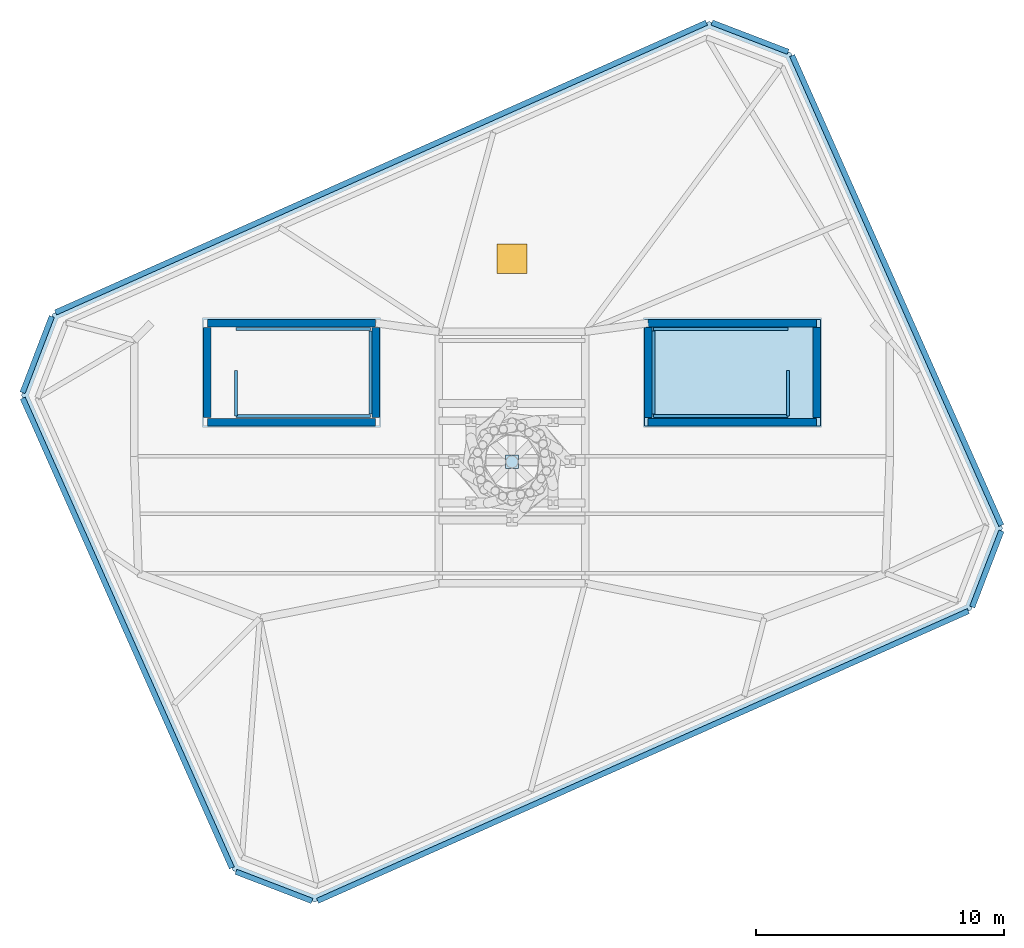
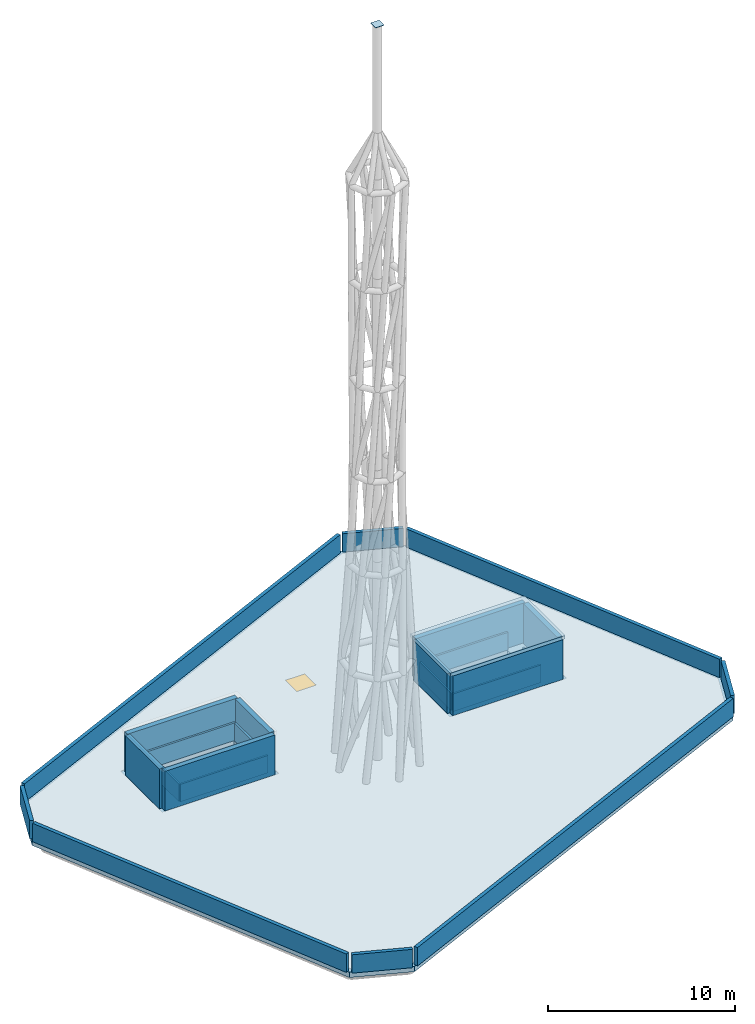
"""IFC4 building model written with IfcOpenShell, lengths in metres."""

from ifc_helpers import new_model, si_unit, direction, frame, frame_2d, origin, origin_2d, place, context, subcontext, project, spatial, polyline, rectangle, outline, extrude, material, layer, layer_set, type_object, element, fill, save


model = new_model("IFC4")

# Units and contexts
model_context = context("Model", 3, precision=1e-05, world=origin(), true_north=direction((0.0, 1.0)))
body_context = subcontext(model_context, "Body", "Model", "MODEL_VIEW")
ifc_project = project(units=[si_unit("LENGTHUNIT", "METRE"), si_unit("AREAUNIT", "SQUARE_METRE"), si_unit("VOLUMEUNIT", "CUBIC_METRE"), si_unit("PLANEANGLEUNIT", "RADIAN"), si_unit("MASSUNIT", "GRAM", prefix="KILO")], contexts=[model_context])

# Site, building, storey
site_placement = place(None, origin())
site = spatial("IfcSite", under=ifc_project, at=site_placement, CompositionType="ELEMENT")
building_placement = place(site_placement, origin())
building = spatial("IfcBuilding", under=site, at=building_placement, Name="Menara Jurai Vektor", CompositionType="ELEMENT")
storey_1_placement = place(building_placement, frame((0.0, 0.0, 312.0)))
storey_1 = spatial("IfcBuildingStorey", under=building, at=storey_1_placement, Name="Roof", CompositionType="ELEMENT", Elevation=312.0)

# Plate
ifc_material_1 = material(Name="Steel S460", Category="steel")
ifc_layer_1 = layer(ifc_material_1, 0.5400390625)
ifc_layer_set_1 = layer_set([ifc_layer_1], Name="Steel S460")
plate_type = type_object("IfcPlateType", Name="STR-PLT-MASTCAP25", PredefinedType="SHEET", material=ifc_layer_set_1)
plate_placement = place(storey_1_placement, frame((0.0, 0.0, 48.0), z_axis=(0.0, 0.0, 1.0), x_axis=(1.0, 0.0, 0.0)))
element("IfcPlate", 1, at=plate_placement, inside=storey_1, type_object=plate_type, Name="Broadcast Mast Pinnacle Cap Plate", PredefinedType="SHEET", context=body_context, shape_type="SweptSolid", body=[
    extrude(rectangle(XDim=0.5400390625, YDim=0.5400390625, at=origin_2d()), origin(), (0.0, 0.0, 1.0), 0.02490234375),
])

# Slab, opening
ifc_material_2 = material(Name="Concrete C40/50", Category="concrete")
ifc_layer_2 = layer(ifc_material_2, 0.35009765625)
ifc_layer_set_2 = layer_set([ifc_layer_2], Name="Concrete C40/50")
slab_type_1 = type_object("IfcSlabType", Name="STR-ROOF-DRUM350", PredefinedType="ROOF", material=ifc_layer_set_2)
slab_1_placement = place(storey_1_placement, frame((0.0, 0.0, -0.35009765625)))
slab_1 = element("IfcSlab", 2, at=slab_1_placement, inside=storey_1, type_object=slab_type_1, Name="Crown Plant Drum Roof Slab", PredefinedType="ROOF", context=body_context, shape_type="SweptSolid", body=[
    extrude(outline(polyline([(-7.958740234375, -17.773681640625), (18.533935546875, -5.978515625), (19.801025390625, -2.677734375), (11.259521484375, 16.5068359375), (7.958740234375, 17.773681640625), (-18.533935546875, 5.978515625), (-19.801025390625, 2.677734375), (-11.259521484375, -16.5068359375), (-7.958740234375, -17.773681640625)]), holes=[polyline([(-11.10009765625, 1.89990234375), (-11.10009765625, 5.300048828125), (-5.800048828125, 5.300048828125), (-5.800048828125, 1.89990234375), (-11.10009765625, 1.89990234375)]), polyline([(5.800048828125, 1.89990234375), (5.800048828125, 5.300048828125), (11.10009765625, 5.300048828125), (11.10009765625, 1.89990234375), (5.800048828125, 1.89990234375)])]), origin(), (0.0, 0.0, 1.0), 0.35009765625),
])
opening_placement = place(slab_1_placement, frame((0.0, 8.199951171875, 0.0)))
opening = element("IfcOpeningElement", 3, at=opening_placement, cuts=slab_1, Name="Opening RH-01", PredefinedType="OPENING", context=body_context, shape_type="SweptSolid", body=[
    extrude(rectangle(XDim=1.199951171875, YDim=1.199951171875, at=origin_2d()), frame((0.0, 0.0, -0.010009765625)), (0.0, 0.0, 1.0), 0.3701171875),
])

# Storey
storey_2_placement = place(building_placement, frame((0.0, 0.0, 305.550048828125)))
storey_2 = spatial("IfcBuildingStorey", under=building, at=storey_2_placement, Name="L82", CompositionType="ELEMENT", Elevation=305.550048828125)

# Window
ifc_material_3 = material(Name="Insulated Pale Aluminium Roof Access Hatch", Category="aluminium")
window_type = type_object("IfcWindowType", Name="ENV-WIN-HATCH120", PartitioningType="SINGLE_PANEL", PredefinedType="SKYLIGHT", material=ifc_material_3)
window_placement = place(opening_placement, frame((0.0, 0.0, 0.300048828125)))
window = element("IfcWindow", 4, at=window_placement, inside=storey_2, type_object=window_type, Name="ROOF ACCESS HATCH RH-01", OverallHeight=1.199951171875, OverallWidth=1.199951171875, PartitioningType="SINGLE_PANEL", PredefinedType="SKYLIGHT", context=body_context, shape_type="SweptSolid", body=[
    extrude(rectangle(XDim=1.199951171875, YDim=1.199951171875, at=origin_2d()), origin(), (0.0, 0.0, 1.0), 0.050048828125),
])

fill(opening, window)

# Slab
ifc_material_4 = material(Name="Concrete C50/60", Category="concrete")
ifc_layer_3 = layer(ifc_material_4, 0.219970703125)
ifc_layer_set_3 = layer_set([ifc_layer_3], Name="Concrete C50/60")
slab_type_2 = type_object("IfcSlabType", Name="STR-SLAB-HHCAP220", PredefinedType="USERDEFINED", material=ifc_layer_set_3)
slab_2_placement = place(storey_1_placement, frame((0.0, 0.0, 2.60009765625)))
element("IfcSlab", 5, at=slab_2_placement, inside=storey_1, type_object=slab_type_2, Name="Roof Stair Overrun Headhouse Cap Slab ST2", ObjectType="HEADHOUSE_CAP", PredefinedType="USERDEFINED", context=body_context, shape_type="SweptSolid", body=[
    extrude(outline(polyline([(12.449951171875, 1.449951171875), (12.449951171875, 5.75), (5.35009765625, 5.75), (5.35009765625, 1.449951171875), (12.449951171875, 1.449951171875)])), origin(), (0.0, 0.0, 1.0), 0.219970703125),
])

# Walls
ifc_layer_4 = layer(ifc_material_2, 0.219970703125)
ifc_layer_set_4 = layer_set([ifc_layer_4], Name="Concrete C40/50")
wall_type_1 = type_object("IfcWallType", Name="ENV-WALL-PARAPET220", PredefinedType="PARAPET", material=ifc_layer_set_4)
wall_1_placement = place(storey_1_placement, frame((-7.848388671875, -17.724609375, 0.0), z_axis=(0.0, 0.0, 1.0), x_axis=(0.913544238748, 0.406739380746, 0.0)))
element("IfcWall", 6, at=wall_1_placement, inside=storey_1, type_object=wall_type_1, Name="Roof Parapet Wall Roof-DRUM-01", PredefinedType="PARAPET", context=body_context, shape_type="SweptSolid", body=[
    extrude(rectangle(XDim=28.758056640625, YDim=0.219970703125, at=frame_2d((14.37890625, 0.0))), origin(), (0.0, 0.0, 1.0), 1.199951171875),
])
wall_2_placement = place(storey_1_placement, frame((18.577392578125, -5.865478515625, 0.0), z_axis=(0.0, 0.0, 1.0), x_axis=(0.358343161541, 0.933589941343, 0.0)))
element("IfcWall", 7, at=wall_2_placement, inside=storey_1, type_object=wall_type_1, Name="Roof Parapet Wall Roof-DRUM-02", PredefinedType="PARAPET", context=body_context, shape_type="SweptSolid", body=[
    extrude(rectangle(XDim=3.29345703125, YDim=0.219970703125, at=frame_2d((1.646728515625, 0.0))), origin(), (0.0, 0.0, 1.0), 1.199951171875),
])
wall_3_placement = place(storey_1_placement, frame((19.751708984375, -2.567138671875, 0.0), z_axis=(0.0, 0.0, 1.0), x_axis=(-0.406729841819, 0.913548485727, 0.0)))
element("IfcWall", 8, at=wall_3_placement, inside=storey_1, type_object=wall_type_1, Name="Roof Parapet Wall Roof-DRUM-03", PredefinedType="PARAPET", context=body_context, shape_type="SweptSolid", body=[
    extrude(rectangle(XDim=20.7578125, YDim=0.219970703125, at=frame_2d((10.37890625, 0.0))), origin(), (0.0, 0.0, 1.0), 1.199951171875),
])
wall_4_placement = place(storey_1_placement, frame((11.146484375, 16.550048828125, 0.0), z_axis=(0.0, 0.0, 1.0), x_axis=(-0.93356513999, 0.35840776972, 0.0)))
element("IfcWall", 9, at=wall_4_placement, inside=storey_1, type_object=wall_type_1, Name="Roof Parapet Wall Roof-DRUM-04", PredefinedType="PARAPET", context=body_context, shape_type="SweptSolid", body=[
    extrude(rectangle(XDim=3.29345703125, YDim=0.219970703125, at=frame_2d((1.646728515625, 0.0))), origin(), (0.0, 0.0, 1.0), 1.199951171875),
])
wall_5_placement = place(storey_1_placement, frame((7.848388671875, 17.724609375, 0.0), z_axis=(0.0, 0.0, 1.0), x_axis=(-0.913544238748, -0.406739380746, 0.0)))
element("IfcWall", 10, at=wall_5_placement, inside=storey_1, type_object=wall_type_1, Name="Roof Parapet Wall Roof-DRUM-05", PredefinedType="PARAPET", context=body_context, shape_type="SweptSolid", body=[
    extrude(rectangle(XDim=28.758056640625, YDim=0.219970703125, at=frame_2d((14.37890625, 0.0))), origin(), (0.0, 0.0, 1.0), 1.199951171875),
])
wall_6_placement = place(storey_1_placement, frame((-18.577392578125, 5.865478515625, 0.0), z_axis=(0.0, 0.0, 1.0), x_axis=(-0.358343161541, -0.933589941343, 0.0)))
element("IfcWall", 11, at=wall_6_placement, inside=storey_1, type_object=wall_type_1, Name="Roof Parapet Wall Roof-DRUM-06", PredefinedType="PARAPET", context=body_context, shape_type="SweptSolid", body=[
    extrude(rectangle(XDim=3.29345703125, YDim=0.219970703125, at=frame_2d((1.646728515625, 0.0))), origin(), (0.0, 0.0, 1.0), 1.199951171875),
])
wall_7_placement = place(storey_1_placement, frame((-19.751708984375, 2.567138671875, 0.0), z_axis=(0.0, 0.0, 1.0), x_axis=(0.406729841819, -0.913548485727, 0.0)))
element("IfcWall", 12, at=wall_7_placement, inside=storey_1, type_object=wall_type_1, Name="Roof Parapet Wall Roof-DRUM-07", PredefinedType="PARAPET", context=body_context, shape_type="SweptSolid", body=[
    extrude(rectangle(XDim=20.7578125, YDim=0.219970703125, at=frame_2d((10.37890625, 0.0))), origin(), (0.0, 0.0, 1.0), 1.199951171875),
])
wall_8_placement = place(storey_1_placement, frame((-11.146484375, -16.550048828125, 0.0), z_axis=(0.0, 0.0, 1.0), x_axis=(0.93356513999, -0.35840776972, 0.0)))
element("IfcWall", 13, at=wall_8_placement, inside=storey_1, type_object=wall_type_1, Name="Roof Parapet Wall Roof-DRUM-08", PredefinedType="PARAPET", context=body_context, shape_type="SweptSolid", body=[
    extrude(rectangle(XDim=3.29345703125, YDim=0.219970703125, at=frame_2d((1.646728515625, 0.0))), origin(), (0.0, 0.0, 1.0), 1.199951171875),
])
ifc_layer_5 = layer(ifc_material_2, 0.199951171875)
ifc_layer_set_5 = layer_set([ifc_layer_5], Name="Concrete C40/50")
wall_type_2 = type_object("IfcWallType", Name="INT-WALL-SHAFT-200", PredefinedType="STANDARD", material=ifc_layer_set_5)
wall_9_placement = place(storey_1_placement, frame((-11.14990234375, 1.840087890625, 0.0), z_axis=(0.0, 0.0, 1.0), x_axis=(1.0, 0.0, 0.0)))
element("IfcWall", 14, at=wall_9_placement, inside=storey_1, type_object=wall_type_2, Name="Stair Well Safety Curb Wall ST1-S Roof", PredefinedType="STANDARD", context=body_context, shape_type="SweptSolid", body=[
    extrude(rectangle(XDim=5.429931640625, YDim=0.1201171875, at=frame_2d((2.71484375, 0.0))), origin(), (0.0, 0.0, 1.0), 1.14990234375),
])
wall_10_placement = place(storey_1_placement, frame((-5.719970703125, 1.919921875, 0.0), z_axis=(0.0, 0.0, 1.0), x_axis=(0.0, 1.0, 0.0)))
element("IfcWall", 15, at=wall_10_placement, inside=storey_1, type_object=wall_type_2, Name="Stair Well Safety Curb Wall ST1-E Roof", PredefinedType="STANDARD", context=body_context, shape_type="SweptSolid", body=[
    extrude(rectangle(XDim=3.360107421875, YDim=0.1201171875, at=frame_2d((1.68017578125, 0.0))), origin(), (0.0, 0.0, 1.0), 1.14990234375),
])
wall_11_placement = place(storey_1_placement, frame((-11.14990234375, 5.360107421875, 0.0), z_axis=(0.0, 0.0, 1.0), x_axis=(1.0, 0.0, 0.0)))
element("IfcWall", 16, at=wall_11_placement, inside=storey_1, type_object=wall_type_2, Name="Stair Well Safety Curb Wall ST1-N Roof", PredefinedType="STANDARD", context=body_context, shape_type="SweptSolid", body=[
    extrude(rectangle(XDim=5.429931640625, YDim=0.1201171875, at=frame_2d((2.71484375, 0.0))), origin(), (0.0, 0.0, 1.0), 1.14990234375),
])
wall_12_placement = place(storey_1_placement, frame((-11.14990234375, 1.840087890625, 0.0), z_axis=(0.0, 0.0, 1.0), x_axis=(0.0, 1.0, 0.0)))
element("IfcWall", 17, at=wall_12_placement, inside=storey_1, type_object=wall_type_2, Name="Stair Well Safety Curb Wall ST1-W Roof", PredefinedType="STANDARD", context=body_context, shape_type="SweptSolid", body=[
    extrude(rectangle(XDim=1.83984375, YDim=0.1201171875, at=frame_2d((0.919921875, 0.0))), origin(), (0.0, 0.0, 1.0), 1.14990234375),
])
wall_13_placement = place(storey_1_placement, frame((5.719970703125, 1.840087890625, 0.0), z_axis=(0.0, 0.0, 1.0), x_axis=(1.0, 0.0, 0.0)))
element("IfcWall", 18, at=wall_13_placement, inside=storey_1, type_object=wall_type_2, Name="Stair Well Safety Curb Wall ST2-S Roof", PredefinedType="STANDARD", context=body_context, shape_type="SweptSolid", body=[
    extrude(rectangle(XDim=5.429931640625, YDim=0.1201171875, at=frame_2d((2.71484375, 0.0))), origin(), (0.0, 0.0, 1.0), 1.14990234375),
])
wall_14_placement = place(storey_1_placement, frame((5.719970703125, 1.919921875, 0.0), z_axis=(0.0, 0.0, 1.0), x_axis=(0.0, 1.0, 0.0)))
element("IfcWall", 19, at=wall_14_placement, inside=storey_1, type_object=wall_type_2, Name="Stair Well Safety Curb Wall ST2-W Roof", PredefinedType="STANDARD", context=body_context, shape_type="SweptSolid", body=[
    extrude(rectangle(XDim=3.360107421875, YDim=0.1201171875, at=frame_2d((1.68017578125, 0.0))), origin(), (0.0, 0.0, 1.0), 1.14990234375),
])
wall_15_placement = place(storey_1_placement, frame((5.719970703125, 5.360107421875, 0.0), z_axis=(0.0, 0.0, 1.0), x_axis=(1.0, 0.0, 0.0)))
element("IfcWall", 20, at=wall_15_placement, inside=storey_1, type_object=wall_type_2, Name="Stair Well Safety Curb Wall ST2-N Roof", PredefinedType="STANDARD", context=body_context, shape_type="SweptSolid", body=[
    extrude(rectangle(XDim=5.429931640625, YDim=0.1201171875, at=frame_2d((2.71484375, 0.0))), origin(), (0.0, 0.0, 1.0), 1.14990234375),
])
wall_16_placement = place(storey_1_placement, frame((11.14990234375, 1.840087890625, 0.0), z_axis=(0.0, 0.0, 1.0), x_axis=(0.0, 1.0, 0.0)))
element("IfcWall", 21, at=wall_16_placement, inside=storey_1, type_object=wall_type_2, Name="Stair Well Safety Curb Wall ST2-E Roof", PredefinedType="STANDARD", context=body_context, shape_type="SweptSolid", body=[
    extrude(rectangle(XDim=1.83984375, YDim=0.1201171875, at=frame_2d((0.919921875, 0.0))), origin(), (0.0, 0.0, 1.0), 1.14990234375),
])
ifc_layer_6 = layer(ifc_material_4, 0.35009765625)
ifc_layer_set_6 = layer_set([ifc_layer_6], Name="Concrete C50/60")
wall_type_3 = type_object("IfcWallType", Name="STR-WALL-CORE350", PredefinedType="SHEAR", material=ifc_layer_set_6)
for number, where, z_axis, x_axis, name in (
    (22, (-12.300048828125, 5.60009765625, 0.0), (0.0, 0.0, 1.0), (1.0, 0.0, 0.0), "Roof Stair Overrun Headhouse Wall ST1-N"),
    (23, (-12.300048828125, 1.60009765625, 0.0), (0.0, 0.0, 1.0), (1.0, 0.0, 0.0), "Roof Stair Overrun Headhouse Wall ST1-S"),
):
    element("IfcWall", number, at=place(storey_1_placement, frame(where, z_axis=z_axis, x_axis=x_axis)), inside=storey_1, type_object=wall_type_3, Name=name, PredefinedType="SHEAR", context=body_context, shape_type="SweptSolid", body=[
        extrude(rectangle(XDim=6.800048828125, YDim=0.300048828125, at=frame_2d((3.39990234375, 0.0))), origin(), (0.0, 0.0, 1.0), 2.60009765625),
    ])
for number, where, z_axis, x_axis, name in (
    (24, (-12.300048828125, 1.780029296875, 0.0), (0.0, 0.0, 1.0), (0.0, 1.0, 0.0), "Roof Stair Overrun Headhouse Wall ST1-W"),
    (25, (-5.5, 1.780029296875, 0.0), (0.0, 0.0, 1.0), (0.0, 1.0, 0.0), "Roof Stair Overrun Headhouse Wall ST1-E"),
):
    element("IfcWall", number, at=place(storey_1_placement, frame(where, z_axis=z_axis, x_axis=x_axis)), inside=storey_1, type_object=wall_type_3, Name=name, PredefinedType="SHEAR", context=body_context, shape_type="SweptSolid", body=[
        extrude(rectangle(XDim=3.639892578125, YDim=0.300048828125, at=frame_2d((1.81982421875, 0.0))), origin(), (0.0, 0.0, 1.0), 2.60009765625),
    ])
for number, where, z_axis, x_axis, name in (
    (26, (5.5, 5.60009765625, 0.0), (0.0, 0.0, 1.0), (1.0, 0.0, 0.0), "Roof Stair Overrun Headhouse Wall ST2-N"),
    (27, (5.5, 1.60009765625, 0.0), (0.0, 0.0, 1.0), (1.0, 0.0, 0.0), "Roof Stair Overrun Headhouse Wall ST2-S"),
):
    element("IfcWall", number, at=place(storey_1_placement, frame(where, z_axis=z_axis, x_axis=x_axis)), inside=storey_1, type_object=wall_type_3, Name=name, PredefinedType="SHEAR", context=body_context, shape_type="SweptSolid", body=[
        extrude(rectangle(XDim=6.800048828125, YDim=0.300048828125, at=frame_2d((3.39990234375, 0.0))), origin(), (0.0, 0.0, 1.0), 2.60009765625),
    ])
for number, where, z_axis, x_axis, name in (
    (28, (5.5, 1.780029296875, 0.0), (0.0, 0.0, 1.0), (0.0, 1.0, 0.0), "Roof Stair Overrun Headhouse Wall ST2-W"),
    (29, (12.300048828125, 1.780029296875, 0.0), (0.0, 0.0, 1.0), (0.0, 1.0, 0.0), "Roof Stair Overrun Headhouse Wall ST2-E"),
):
    element("IfcWall", number, at=place(storey_1_placement, frame(where, z_axis=z_axis, x_axis=x_axis)), inside=storey_1, type_object=wall_type_3, Name=name, PredefinedType="SHEAR", context=body_context, shape_type="SweptSolid", body=[
        extrude(rectangle(XDim=3.639892578125, YDim=0.300048828125, at=frame_2d((1.81982421875, 0.0))), origin(), (0.0, 0.0, 1.0), 2.60009765625),
    ])

save(model, "model.ifc")
